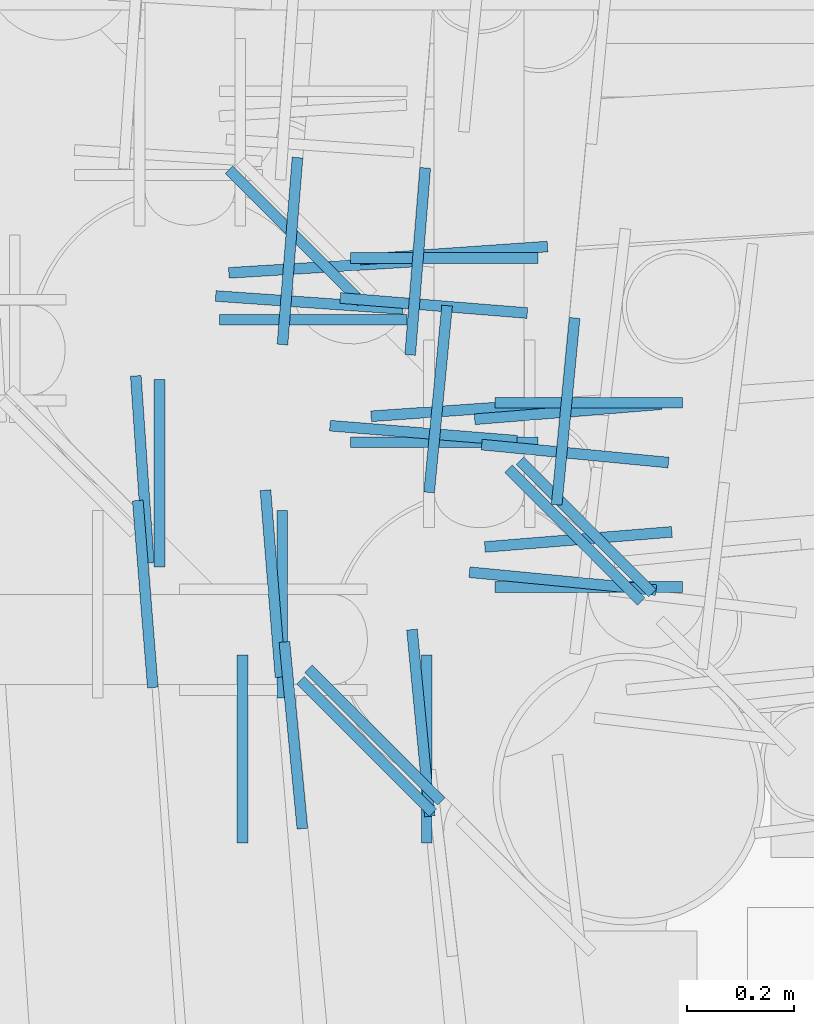
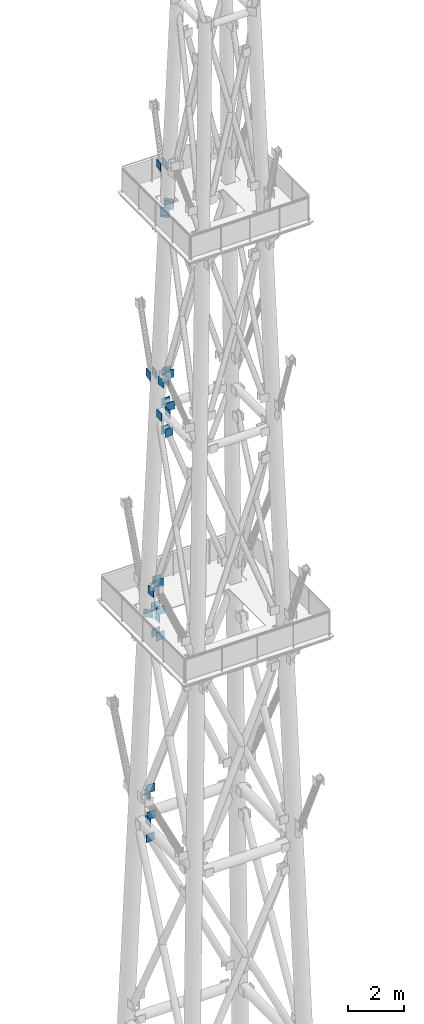
# One storey, part 15 of 25: 33 discrete accessories.
"""IFC4 building model written with IfcOpenShell, lengths in metres."""

from ifc_helpers import new_model, si_unit, direction, frame, origin, origin_2d, place, context, subcontext, project, spatial, rectangle, extrude, element, save


model = new_model("IFC4")

# Units and contexts
model_context = context("Model", 3, precision=1e-05, world=origin(), true_north=direction((0.0, 1.0)))
body_context = subcontext(model_context, "Body", "Model", "MODEL_VIEW")
ifc_project = project(units=[si_unit("LENGTHUNIT", "METRE"), si_unit("AREAUNIT", "SQUARE_METRE"), si_unit("VOLUMEUNIT", "CUBIC_METRE"), si_unit("PLANEANGLEUNIT", "RADIAN"), si_unit("MASSUNIT", "GRAM", prefix="KILO")], contexts=[model_context])

# Site, building, storey
site_placement = place(None, origin())
site = spatial("IfcSite", under=ifc_project, at=site_placement, CompositionType="ELEMENT")
building_placement = place(site_placement, origin())
building = spatial("IfcBuilding", under=site, at=building_placement, Name="Vidyagriha Tower", CompositionType="ELEMENT")
storey_placement = place(building_placement, frame((0.0, 0.0, 318.39990234375)))
storey = spatial("IfcBuildingStorey", under=building, at=storey_placement, Name="RF", CompositionType="ELEMENT", Elevation=318.39990234375)

# Discrete accessories
for number, where, z_axis, x_axis, name in (
    (1, (-1.613525390625, 15.02294921875, 22.5498046875), (0.0, 0.0, 1.0), (0.707106781187, -0.707106781187, 0.0), "End plate ASTM A572 Grade 50 20mm"),
    (2, (-1.070556640625, 14.47998046875, 40.650146484375), (0.0, 0.0, 1.0), (0.707106781187, -0.707106781187, 0.0), "End plate ASTM A572 Grade 50 20mm"),
    (3, (-1.47998046875, 14.070556640625, 40.650146484375), (0.0, 0.0, 1.0), (0.707106781187, -0.707106781187, 0.0), "End plate ASTM A572 Grade 50 20mm"),
    (4, (-1.091552734375, 14.46484375, 40.5498046875), (0.0, 0.0, 1.0), (0.707106781187, -0.707106781187, 0.0), "End plate ASTM A572 Grade 50 20mm"),
    (5, (-1.46484375, 14.091552734375, 40.5498046875), (0.0, 0.0, 1.0), (0.707106781187, -0.707106781187, 0.0), "End plate ASTM A572 Grade 50 20mm"),
    (6, (-1.580078125, 14.866943359375, 13.824951171875), (0.0, 0.0, 1.0), (-1.0, 0.0, 0.0), "End plate ASTM A572 Grade 50 20mm"),
    (7, (-1.866943359375, 14.580078125, 13.824951171875), (0.0, 0.0, 1.0), (0.0, 1.0, 0.0), "End plate ASTM A572 Grade 50 20mm"),
    (8, (-1.335693359375, 14.637939453125, 22.824951171875), (0.0, 0.0, 1.0), (-1.0, 0.0, 0.0), "End plate ASTM A572 Grade 50 20mm"),
    (9, (-1.335693359375, 14.98193359375, 22.824951171875), (0.0, 0.0, 1.0), (-1.0, 0.0, 0.0), "End plate ASTM A572 Grade 50 20mm"),
    (10, (-1.637939453125, 14.335693359375, 22.824951171875), (0.0, 0.0, 1.0), (0.0, 1.0, 0.0), "End plate ASTM A572 Grade 50 20mm"),
    (11, (-1.065673828125, 14.367919921875, 31.824951171875), (0.0, 0.0, 1.0), (-1.0, 0.0, 0.0), "End plate ASTM A572 Grade 50 20mm"),
    (12, (-1.065673828125, 14.7119140625, 31.824951171875), (0.0, 0.0, 1.0), (-1.0, 0.0, 0.0), "End plate ASTM A572 Grade 50 20mm"),
    (13, (-1.7119140625, 14.065673828125, 31.824951171875), (0.0, 0.0, 1.0), (0.0, 1.0, 0.0), "End plate ASTM A572 Grade 50 20mm"),
    (14, (-1.367919921875, 14.065673828125, 31.824951171875), (0.0, 0.0, 1.0), (0.0, 1.0, 0.0), "End plate ASTM A572 Grade 50 20mm"),
    (15, (-1.562744140625, 14.96484375, 12.792236328125), (0.0, 0.0, 1.0), (-0.998148730357, -0.060820326265, 0.0), "End plate ASTM A572 Grade 50 20mm"),
    (16, (-1.29736328125, 14.69873046875, 21.662109375), (0.0, 0.0, 1.0), (-0.997601404512, -0.069220211754, 0.0), "End plate ASTM A572 Grade 50 20mm"),
    (17, (-1.3173828125, 14.9912109375, 21.662109375), (0.0, 0.0, 1.0), (-0.997601404512, -0.069220211754, 0.0), "End plate ASTM A572 Grade 50 20mm"),
    (18, (-1.58740234375, 14.89892578125, 14.988037109375), (0.0, 0.0, 1.0), (-0.997599712846, 0.069244587734, 0.0), "End plate ASTM A572 Grade 50 20mm"),
    (19, (-1.89892578125, 14.58740234375, 14.988037109375), (0.0, 0.0, 1.0), (-0.069220211754, 0.997601404512, 0.0), "End plate ASTM A572 Grade 50 20mm"),
    (20, (-1.085205078125, 14.456787109375, 30.628662109375), (0.0, 0.0, 1.0), (-0.996769493415, -0.080315484172, 0.0), "End plate ASTM A572 Grade 50 20mm"),
    (21, (-1.104248046875, 14.695068359375, 30.628662109375), (0.0, 0.0, 1.0), (-0.996769493415, -0.080315484172, 0.0), "End plate ASTM A572 Grade 50 20mm"),
    (22, (-1.374267578125, 14.655029296875, 24.021240234375), (0.0, 0.0, 1.0), (-0.99676753064, 0.080339839821, 0.0), "End plate ASTM A572 Grade 50 20mm"),
    (23, (-1.35498046875, 14.893310546875, 24.021240234375), (0.0, 0.0, 1.0), (-0.99676753064, 0.080339839821, 0.0), "End plate ASTM A572 Grade 50 20mm"),
    (24, (-1.893310546875, 14.35498046875, 24.021240234375), (0.0, 0.0, 1.0), (-0.080315484172, 0.996769493415, 0.0), "End plate ASTM A572 Grade 50 20mm"),
    (25, (-1.655029296875, 14.374267578125, 24.021240234375), (0.0, 0.0, 1.0), (-0.080315484172, 0.996769493415, 0.0), "End plate ASTM A572 Grade 50 20mm"),
    (26, (-1.385009765625, 14.9755859375, 33.021240234375), (0.0, 0.0, 1.0), (-0.080348538256, -0.996766829504, 0.0), "End plate ASTM A572 Grade 50 20mm"),
    (27, (-1.623291015625, 14.994873046875, 33.021240234375), (0.0, 0.0, 1.0), (-0.080348538256, -0.996766829504, 0.0), "End plate ASTM A572 Grade 50 20mm"),
    (28, (-1.1142578125, 14.37890625, 33.2255859375), (0.0, 0.0, 1.0), (-0.995415248857, 0.095647699097, 0.0), "End plate ASTM A572 Grade 50 20mm"),
    (29, (-1.09130859375, 14.616943359375, 33.2255859375), (0.0, 0.0, 1.0), (-0.995415248857, 0.095647699097, 0.0), "End plate ASTM A572 Grade 50 20mm"),
    (30, (-1.616943359375, 14.09130859375, 33.2255859375), (0.0, 0.0, 1.0), (-0.095647699097, 0.995415248857, 0.0), "End plate ASTM A572 Grade 50 20mm"),
    (31, (-1.37890625, 14.1142578125, 33.2255859375), (0.0, 0.0, 1.0), (-0.095647699097, 0.995415248857, 0.0), "End plate ASTM A572 Grade 50 20mm"),
    (32, (-1.10888671875, 14.69580078125, 42.2255859375), (0.0, 0.0, 1.0), (-0.095661597706, -0.995413913266, 0.0), "End plate ASTM A572 Grade 50 20mm"),
    (33, (-1.346923828125, 14.71875, 42.2255859375), (0.0, 0.0, 1.0), (-0.095661597706, -0.995413913266, 0.0), "End plate ASTM A572 Grade 50 20mm"),
):
    element("IfcDiscreteAccessory", number, at=place(storey_placement, frame(where, z_axis=z_axis, x_axis=x_axis)), inside=storey, Name=name, ObjectType="END PLATE", PredefinedType="USERDEFINED", context=body_context, shape_type="SweptSolid", body=[
        extrude(rectangle(XDim=0.35009765625, YDim=0.02001953125, at=origin_2d()), origin(), (0.0, 0.0, 1.0), 0.35009765625),
    ])

save(model, "model.ifc")
